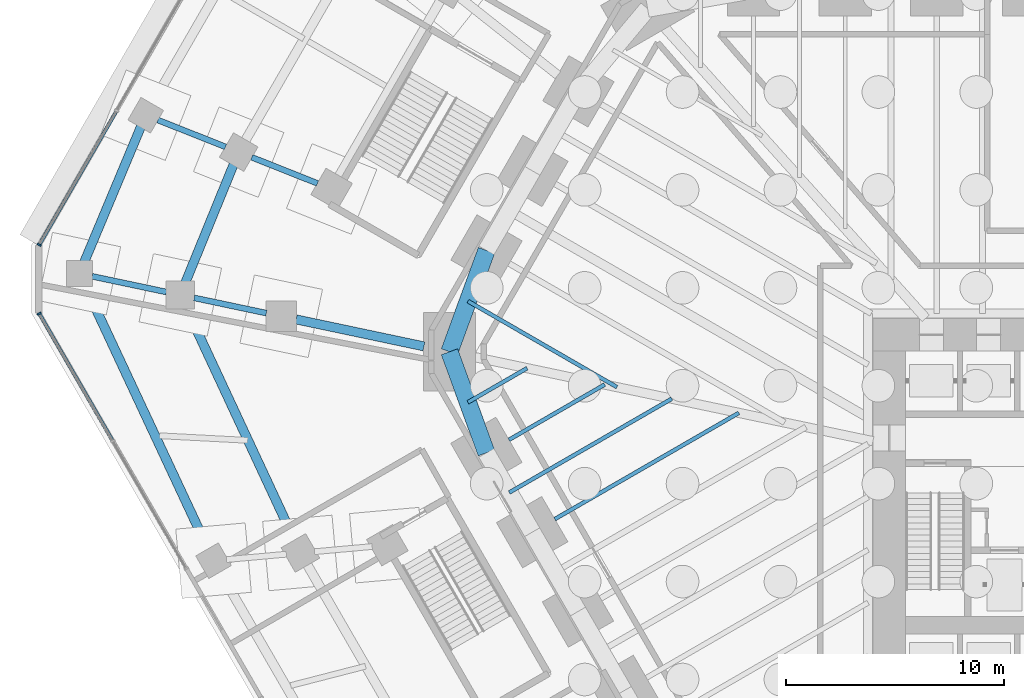
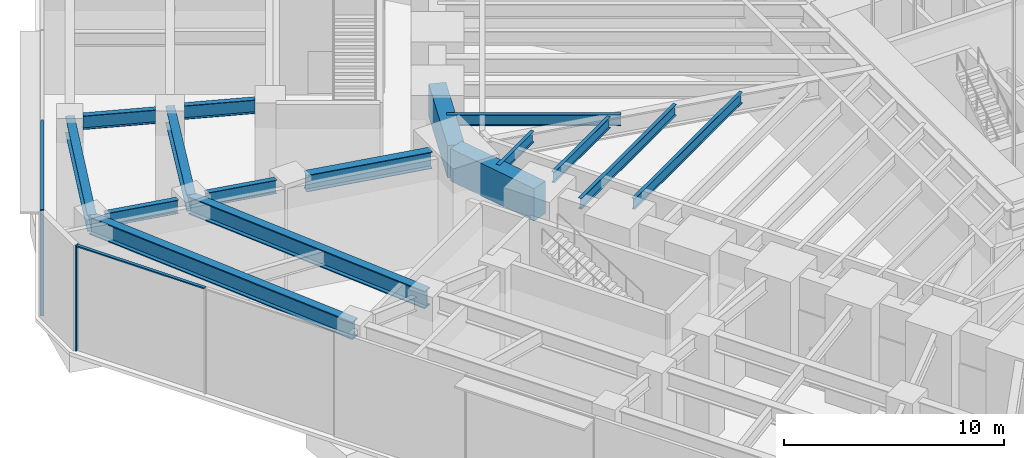
# One storey, part 7 of 34: 16 beams, 4 members, 2 elements without a shape of their own.
"""IFC4 building model written with IfcOpenShell, lengths in metres."""

from ifc_helpers import new_model, si_unit, direction, frame, origin, origin_2d, place, context, subcontext, project, spatial, rectangle, i_section, extrude, material, material_profile, profile_set, type_object, element, aggregate, save


model = new_model("IFC4")

# Units and contexts
model_context = context("Model", 3, precision=1e-05, world=origin(), true_north=direction((0.0, 1.0)))
body_context = subcontext(model_context, "Body", "Model", "MODEL_VIEW")
ifc_project = project(units=[si_unit("LENGTHUNIT", "METRE"), si_unit("AREAUNIT", "SQUARE_METRE"), si_unit("VOLUMEUNIT", "CUBIC_METRE"), si_unit("PLANEANGLEUNIT", "RADIAN"), si_unit("MASSUNIT", "GRAM", prefix="KILO")], contexts=[model_context])

# Site, building, storey
site_placement = place(None, origin())
site = spatial("IfcSite", under=ifc_project, at=site_placement, CompositionType="ELEMENT")
building_placement = place(site_placement, origin())
building = spatial("IfcBuilding", under=site, at=building_placement, Name="Sandreach Pilgrim Tower", CompositionType="ELEMENT")
storey_placement = place(building_placement, origin())
storey = spatial("IfcBuildingStorey", under=building, at=storey_placement, Name="L00", CompositionType="ELEMENT", Elevation=0.0)

# Curtain wall, member
ifc_material_1 = material(Name="Aluminium framed curtain wall", Category="aluminium")
curtain_wall_type = type_object("IfcCurtainWallType", Name="Podium storefront curtain wall", PredefinedType="NOTDEFINED", material=ifc_material_1)
curtain_wall_1_placement = place(storey_placement, origin())
curtain_wall_1 = element("IfcCurtainWall", 1, at=curtain_wall_1_placement, inside=storey, type_object=curtain_wall_type, Name="CW-P L00 SWC", PredefinedType="NOTDEFINED")
ifc_material_2 = material(Name="Aluminium extrusion", Category="aluminium")
ifc_material_profile_1 = material_profile(ifc_material_2, rectangle(XDim=0.070068359375, YDim=0.199951171875, at=origin_2d()), Name="CW-PM 70X200")
ifc_profile_set_1 = profile_set([ifc_material_profile_1], Name="Aluminium extrusion")
member_type_1 = type_object("IfcMemberType", Name="CW-P mullion", PredefinedType="MULLION", material=ifc_profile_set_1)
member_1_placement = place(storey_placement, frame((-47.566162109375, 7.816162109375, 0.0), z_axis=(0.0, 0.0, 1.0), x_axis=(-0.5, 0.866025403784, 0.0)))
member_1 = element("IfcMember", 2, at=member_1_placement, type_object=member_type_1, Name="CW-P mullion 3", PredefinedType="MULLION", context=body_context, shape_type="SweptSolid", body=[
    extrude(rectangle(XDim=0.070068359375, YDim=0.199951171875, at=origin_2d()), origin(), (0.0, 0.0, 1.0), 5.840087890625),
])

curtain_wall_2_placement = place(storey_placement, origin())
curtain_wall_2 = element("IfcCurtainWall", 3, at=curtain_wall_2_placement, inside=storey, type_object=curtain_wall_type, Name="CW-P L00 NWA", PredefinedType="NOTDEFINED")
member_2_placement = place(storey_placement, frame((-47.566162109375, 10.976806640625, 0.0), z_axis=(0.0, 0.0, 1.0), x_axis=(0.5, 0.866025403784, 0.0)))
member_2 = element("IfcMember", 4, at=member_2_placement, type_object=member_type_1, Name="CW-P mullion 1", PredefinedType="MULLION", context=body_context, shape_type="SweptSolid", body=[
    extrude(rectangle(XDim=0.070068359375, YDim=0.199951171875, at=origin_2d()), origin(), (0.0, 0.0, 1.0), 5.840087890625),
])

# Member
ifc_material_3 = material(Name="Aluminium extrusion", Category="aluminium")
ifc_material_profile_2 = material_profile(ifc_material_3, rectangle(XDim=0.159912109375, YDim=0.070068359375, at=origin_2d()), Name="CW-PT 160X70")
ifc_profile_set_2 = profile_set([ifc_material_profile_2], Name="Aluminium extrusion")
member_type_2 = type_object("IfcMemberType", Name="CW-P transom", PredefinedType="USERDEFINED", material=ifc_profile_set_2)
member_3_placement = place(storey_placement, frame((-44.20263671875, 1.990234375, 5.804931640625), z_axis=(-0.499996150425, 0.866027626326, 0.0), x_axis=(-0.866027626326, -0.499996150425, 0.0)))
member_3 = element("IfcMember", 5, at=member_3_placement, type_object=member_type_2, Name="CW-P head transom 2", ObjectType="TRANSOM", PredefinedType="USERDEFINED", context=body_context, shape_type="SweptSolid", body=[
    extrude(rectangle(XDim=0.159912109375, YDim=0.070068359375, at=origin_2d()), origin(), (0.0, 0.0, 1.0), 6.69189453125),
])

aggregate(curtain_wall_1, [member_1, member_3])

member_4_placement = place(storey_placement, frame((-47.548583984375, 11.007080078125, 5.804931640625), z_axis=(0.499997206141, 0.866027016814, 0.0), x_axis=(-0.866027016814, 0.499997206141, 0.0)))
member_4 = element("IfcMember", 6, at=member_4_placement, type_object=member_type_2, Name="CW-P head transom 1", ObjectType="TRANSOM", PredefinedType="USERDEFINED", context=body_context, shape_type="SweptSolid", body=[
    extrude(rectangle(XDim=0.159912109375, YDim=0.070068359375, at=origin_2d()), origin(), (0.0, 0.0, 1.0), 7.05078125),
])

aggregate(curtain_wall_2, [member_2, member_4])

# Beams
ifc_material_4 = material(Name="Steel ASTM A992 Grade 50", Category="steel")
ifc_material_profile_3 = material_profile(ifc_material_4, i_section(OverallWidth=0.1787109375, OverallDepth=0.60205078125, WebThickness=0.010986328125, FlangeThickness=0.014892578125, at=origin_2d()), Name="W24X62")
ifc_profile_set_3 = profile_set([ifc_material_profile_3], Name="Steel ASTM A992 Grade 50")
beam_type_1 = type_object("IfcBeamType", Name="Floor beam W24X62", PredefinedType="BEAM", material=ifc_profile_set_3)
beam_1_placement = place(storey_placement, frame((-23.8720703125, -1.629638671875, 5.5390625), z_axis=(0.866025751498, 0.499999397742, 0.0), x_axis=(-0.499999397742, 0.866025751498, 0.0)))
element("IfcBeam", 7, at=beam_1_placement, inside=storey, type_object=beam_type_1, Name="BM L00 F33", PredefinedType="BEAM", context=body_context, shape_type="SweptSolid", body=[
    extrude(i_section(OverallWidth=0.1787109375, OverallDepth=0.60205078125, WebThickness=0.010986328125, FlangeThickness=0.014892578125, at=origin_2d()), origin(), (0.0, 0.0, 1.0), 9.767578125),
])
beam_2_placement = place(storey_placement, frame((-25.97705078125, 2.016357421875, 5.5390625), z_axis=(0.866027897259, 0.49999568115, 0.0), x_axis=(-0.49999568115, 0.866027897259, 0.0)))
element("IfcBeam", 8, at=beam_2_placement, inside=storey, type_object=beam_type_1, Name="BM L00 F34", PredefinedType="BEAM", context=body_context, shape_type="SweptSolid", body=[
    extrude(i_section(OverallWidth=0.1787109375, OverallDepth=0.60205078125, WebThickness=0.010986328125, FlangeThickness=0.014892578125, at=origin_2d()), origin(), (0.0, 0.0, 1.0), 5.0791015625),
])
beam_3_placement = place(storey_placement, frame((-25.9638671875, -0.40673828125, 5.5390625), z_axis=(0.866020100198, 0.500009185969, 0.0), x_axis=(-0.500009185969, 0.866020100198, 0.0)))
element("IfcBeam", 9, at=beam_3_placement, inside=storey, type_object=beam_type_1, Name="BM L00 FM33", PredefinedType="BEAM", context=body_context, shape_type="SweptSolid", body=[
    extrude(i_section(OverallWidth=0.1787109375, OverallDepth=0.60205078125, WebThickness=0.010986328125, FlangeThickness=0.014892578125, at=origin_2d()), origin(), (0.0, 0.0, 1.0), 8.623291015625),
])
beam_4_placement = place(storey_placement, frame((-27.864501953125, 3.7392578125, 5.5390625), z_axis=(0.866023718453, 0.500002919068, 0.0), x_axis=(-0.500002919068, 0.866023718453, 0.0)))
element("IfcBeam", 10, at=beam_4_placement, inside=storey, type_object=beam_type_1, Name="BM L00 FM34", PredefinedType="BEAM", context=body_context, shape_type="SweptSolid", body=[
    extrude(i_section(OverallWidth=0.1787109375, OverallDepth=0.60205078125, WebThickness=0.010986328125, FlangeThickness=0.014892578125, at=origin_2d()), origin(), (0.0, 0.0, 1.0), 3.1396484375),
])
beam_5_placement = place(storey_placement, frame((-27.861328125, 8.390380859375, 5.5390625), z_axis=(0.866028778003, -0.499994155636, 0.0), x_axis=(0.499994155636, 0.866028778003, 0.0)))
element("IfcBeam", 11, at=beam_5_placement, inside=storey, type_object=beam_type_1, Name="BM L00 FM35", PredefinedType="BEAM", context=body_context, shape_type="SweptSolid", body=[
    extrude(i_section(OverallWidth=0.1787109375, OverallDepth=0.60205078125, WebThickness=0.010986328125, FlangeThickness=0.014892578125, at=origin_2d()), origin(), (0.0, 0.0, 1.0), 7.90771484375),
])
ifc_material_5 = material(Name="Steel ASTM A992 Grade 50", Category="steel")
ifc_material_profile_4 = material_profile(ifc_material_5, i_section(OverallWidth=0.2666015625, OverallDepth=0.7568359375, WebThickness=0.013916015625, FlangeThickness=0.019287109375, at=origin_2d()), Name="W30X108")
ifc_profile_set_4 = profile_set([ifc_material_profile_4], Name="Steel ASTM A992 Grade 50")
beam_type_2 = type_object("IfcBeamType", Name="Podium beam W30X108", PredefinedType="BEAM", material=ifc_profile_set_4)
beam_6_placement = place(storey_placement, frame((-37.128173828125, 7.8388671875, 5.46142578125), z_axis=(-0.978431212045, 0.206572900681, 0.0), x_axis=(-0.206572900681, -0.978431212045, 0.0)))
element("IfcBeam", 12, at=beam_6_placement, inside=storey, type_object=beam_type_2, Name="BM L00 PR140-35", PredefinedType="BEAM", context=body_context, shape_type="SweptSolid", body=[
    extrude(i_section(OverallWidth=0.2666015625, OverallDepth=0.7568359375, WebThickness=0.013916015625, FlangeThickness=0.019287109375, at=origin_2d()), origin(), (0.0, 0.0, 1.0), 3.390869140625),
])
beam_7_placement = place(storey_placement, frame((-34.77978515625, 13.802001953125, 5.46142578125), z_axis=(-0.929469422861, 0.368899162327, 0.0), x_axis=(-0.368899162327, -0.929469422861, 0.0)))
element("IfcBeam", 13, at=beam_7_placement, inside=storey, type_object=beam_type_2, Name="BM L00 PR140-36", PredefinedType="BEAM", context=body_context, shape_type="SweptSolid", body=[
    extrude(i_section(OverallWidth=0.2666015625, OverallDepth=0.7568359375, WebThickness=0.013916015625, FlangeThickness=0.019287109375, at=origin_2d()), origin(), (0.0, 0.0, 1.0), 3.24560546875),
])
beam_8_placement = place(storey_placement, frame((-41.7177734375, 8.807861328125, 5.37158203125), z_axis=(-0.978423445555, 0.206609683192, 0.0), x_axis=(-0.206609683192, -0.978423445555, 0.0)))
element("IfcBeam", 14, at=beam_8_placement, inside=storey, type_object=beam_type_2, Name="BM L00 PR155-35", PredefinedType="BEAM", context=body_context, shape_type="SweptSolid", body=[
    extrude(i_section(OverallWidth=0.2666015625, OverallDepth=0.7568359375, WebThickness=0.013916015625, FlangeThickness=0.019287109375, at=origin_2d()), origin(), (0.0, 0.0, 1.0), 3.490478515625),
])
beam_9_placement = place(storey_placement, frame((-39.004638671875, 15.478759765625, 5.37158203125), z_axis=(-0.929489916856, 0.368847521969, 0.0), x_axis=(-0.368847521969, -0.929489916856, 0.0)))
element("IfcBeam", 15, at=beam_9_placement, inside=storey, type_object=beam_type_2, Name="BM L00 PR155-36", PredefinedType="BEAM", context=body_context, shape_type="SweptSolid", body=[
    extrude(i_section(OverallWidth=0.2666015625, OverallDepth=0.7568359375, WebThickness=0.013916015625, FlangeThickness=0.019287109375, at=origin_2d()), origin(), (0.0, 0.0, 1.0), 3.34521484375),
])
ifc_material_6 = material(Name="Steel ASTM A992 Grade 50", Category="steel")
ifc_material_profile_5 = material_profile(ifc_material_6, i_section(OverallWidth=0.419189453125, OverallDepth=0.927001953125, WebThickness=0.019287109375, FlangeThickness=0.031982421875, at=origin_2d()), Name="W36X231")
ifc_profile_set_5 = profile_set([ifc_material_profile_5], Name="Steel ASTM A992 Grade 50")
beam_type_3 = type_object("IfcBeamType", Name="Podium beam W36X231", PredefinedType="BEAM", material=ifc_profile_set_5)
beam_10_placement = place(storey_placement, frame((-29.88671875, 6.31005859375, 5.37646484375), z_axis=(-0.978427888688, 0.206588641113, 0.0), x_axis=(-0.206588641113, -0.978427888688, 0.0)))
element("IfcBeam", 16, at=beam_10_placement, inside=storey, type_object=beam_type_3, Name="BM L00 PR125-35", PredefinedType="BEAM", context=body_context, shape_type="SweptSolid", body=[
    extrude(i_section(OverallWidth=0.419189453125, OverallDepth=0.927001953125, WebThickness=0.019287109375, FlangeThickness=0.031982421875, at=origin_2d()), origin(), (0.0, 0.0, 1.0), 6.0009765625),
])
ifc_material_7 = material(Name="Steel ASTM A992 Grade 50", Category="steel")
ifc_material_profile_6 = material_profile(ifc_material_7, i_section(OverallWidth=0.419189453125, OverallDepth=0.927001953125, WebThickness=0.019287109375, FlangeThickness=0.031982421875, at=origin_2d()), Name="W36X231")
ifc_profile_set_6 = profile_set([ifc_material_profile_6], Name="Steel ASTM A992 Grade 50")
beam_type_4 = type_object("IfcBeamType", Name="Podium edge beam W36X231", PredefinedType="BEAM", material=ifc_profile_set_6)
beam_11_placement = place(storey_placement, frame((-41.081787109375, 8.673583984375, 5.37646484375), z_axis=(0.378093917768, 0.925767243613, 0.0), x_axis=(-0.925767243613, 0.378093917768, 0.0)))
element("IfcBeam", 17, at=beam_11_placement, inside=storey, type_object=beam_type_4, Name="BM L00 PE140-35", PredefinedType="BEAM", context=body_context, shape_type="SweptSolid", body=[
    extrude(i_section(OverallWidth=0.419189453125, OverallDepth=0.927001953125, WebThickness=0.019287109375, FlangeThickness=0.031982421875, at=origin_2d()), origin(), (0.0, 0.0, 1.0), 7.091796875),
])
beam_12_placement = place(storey_placement, frame((-45.72021484375, 9.653076171875, 5.286376953125), z_axis=(0.386189499603, 0.922419465534, 0.0), x_axis=(-0.922419465534, 0.386189499603, 0.0)))
element("IfcBeam", 18, at=beam_12_placement, inside=storey, type_object=beam_type_4, Name="BM L00 PE155-35", PredefinedType="BEAM", context=body_context, shape_type="SweptSolid", body=[
    extrude(i_section(OverallWidth=0.419189453125, OverallDepth=0.927001953125, WebThickness=0.019287109375, FlangeThickness=0.031982421875, at=origin_2d()), origin(), (0.0, 0.0, 1.0), 7.893310546875),
])
ifc_material_8 = material(Name="Steel ASTM A992 Grade 50", Category="steel")
ifc_material_profile_7 = material_profile(ifc_material_8, i_section(OverallWidth=0.4267578125, OverallDepth=0.975341796875, WebThickness=0.031005859375, FlangeThickness=0.055908203125, at=origin_2d()), Name="W36X395")
ifc_profile_set_7 = profile_set([ifc_material_profile_7], Name="Steel ASTM A992 Grade 50")
beam_type_5 = type_object("IfcBeamType", Name="Podium edge beam W36X395", PredefinedType="BEAM", material=ifc_profile_set_7)
beam_13_placement = place(storey_placement, frame((-35.56103515625, -3.182861328125, 5.352294921875), z_axis=(-0.422115812002, 0.90654191368, 0.0), x_axis=(-0.90654191368, -0.422115812002, 0.0)))
element("IfcBeam", 19, at=beam_13_placement, inside=storey, type_object=beam_type_5, Name="BM L00 PE140-33", PredefinedType="BEAM", context=body_context, shape_type="SweptSolid", body=[
    extrude(i_section(OverallWidth=0.4267578125, OverallDepth=0.975341796875, WebThickness=0.031005859375, FlangeThickness=0.055908203125, at=origin_2d()), origin(), (0.0, 0.0, 1.0), 13.078857421875),
])
beam_14_placement = place(storey_placement, frame((-39.5546875, -3.540283203125, 5.26220703125), z_axis=(-0.423371820953, 0.90595601506, 0.0), x_axis=(-0.90595601506, -0.423371820953, 0.0)))
element("IfcBeam", 20, at=beam_14_placement, inside=storey, type_object=beam_type_5, Name="BM L00 PE155-33", PredefinedType="BEAM", context=body_context, shape_type="SweptSolid", body=[
    extrude(i_section(OverallWidth=0.4267578125, OverallDepth=0.975341796875, WebThickness=0.031005859375, FlangeThickness=0.055908203125, at=origin_2d()), origin(), (0.0, 0.0, 1.0), 14.56298828125),
])
ifc_material_9 = material(Name="Concrete 10000 psi", Category="concrete")
ifc_material_profile_8 = material_profile(ifc_material_9, rectangle(XDim=0.800048828125, YDim=1.800048828125, at=origin_2d()), Name="RC800X1800")
ifc_profile_set_8 = profile_set([ifc_material_profile_8], Name="Concrete 10000 psi")
beam_type_6 = type_object("IfcBeamType", Name="Spandrel beam RC800X1800", PredefinedType="SPANDREL", material=ifc_profile_set_8)
beam_15_placement = place(storey_placement, frame((-27.016357421875, 1.416259765625, 4.93994140625), z_axis=(-0.342963480301, 0.939348737786, 0.0), x_axis=(-0.939348737786, -0.342963480301, 0.0)))
element("IfcBeam", 21, at=beam_15_placement, inside=storey, type_object=beam_type_6, Name="BM L00 SP34", PredefinedType="SPANDREL", context=body_context, shape_type="SweptSolid", body=[
    extrude(rectangle(XDim=0.800048828125, YDim=1.800048828125, at=origin_2d()), origin(), (0.0, 0.0, 1.0), 4.946044921875),
])
beam_16_placement = place(storey_placement, frame((-28.712646484375, 6.062255859375, 4.93994140625), z_axis=(0.343367552823, 0.939201109278, 0.0), x_axis=(-0.939201109278, 0.343367552823, 0.0)))
element("IfcBeam", 22, at=beam_16_placement, inside=storey, type_object=beam_type_6, Name="BM L00 SP35", PredefinedType="SPANDREL", context=body_context, shape_type="SweptSolid", body=[
    extrude(rectangle(XDim=0.800048828125, YDim=1.800048828125, at=origin_2d()), origin(), (0.0, 0.0, 1.0), 4.9580078125),
])

save(model, "model.ifc")
